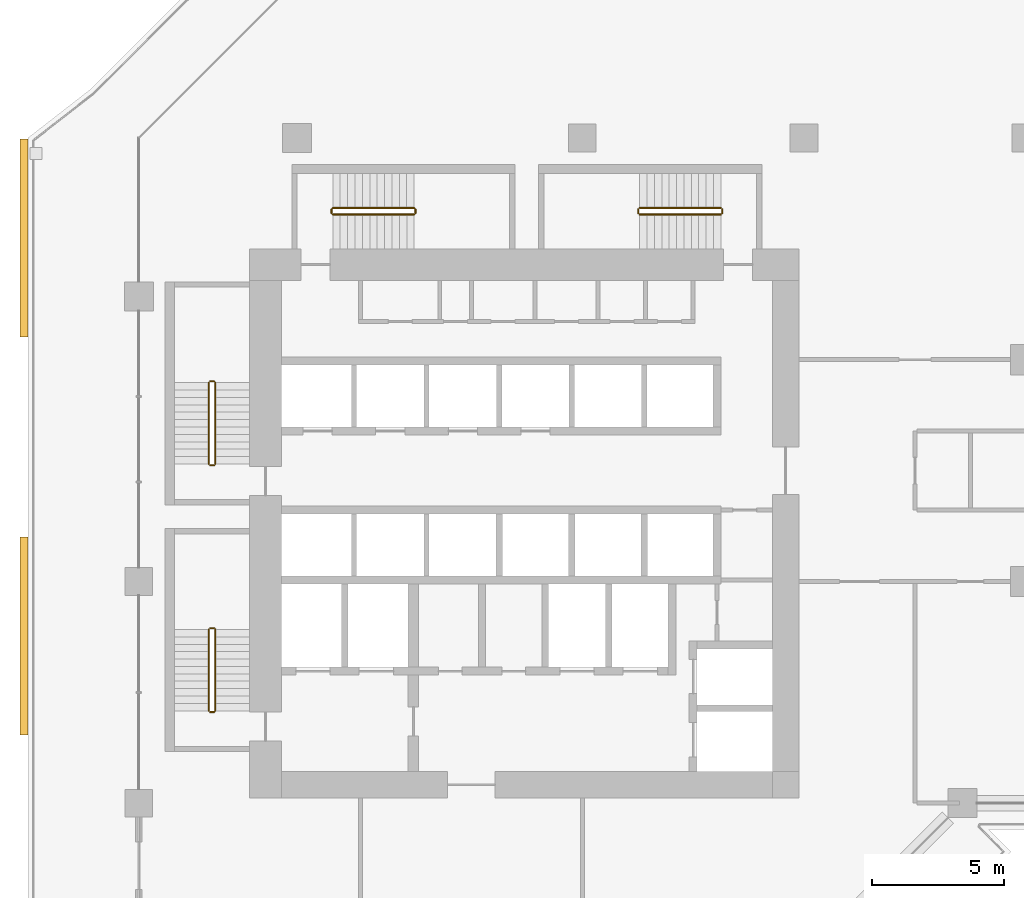
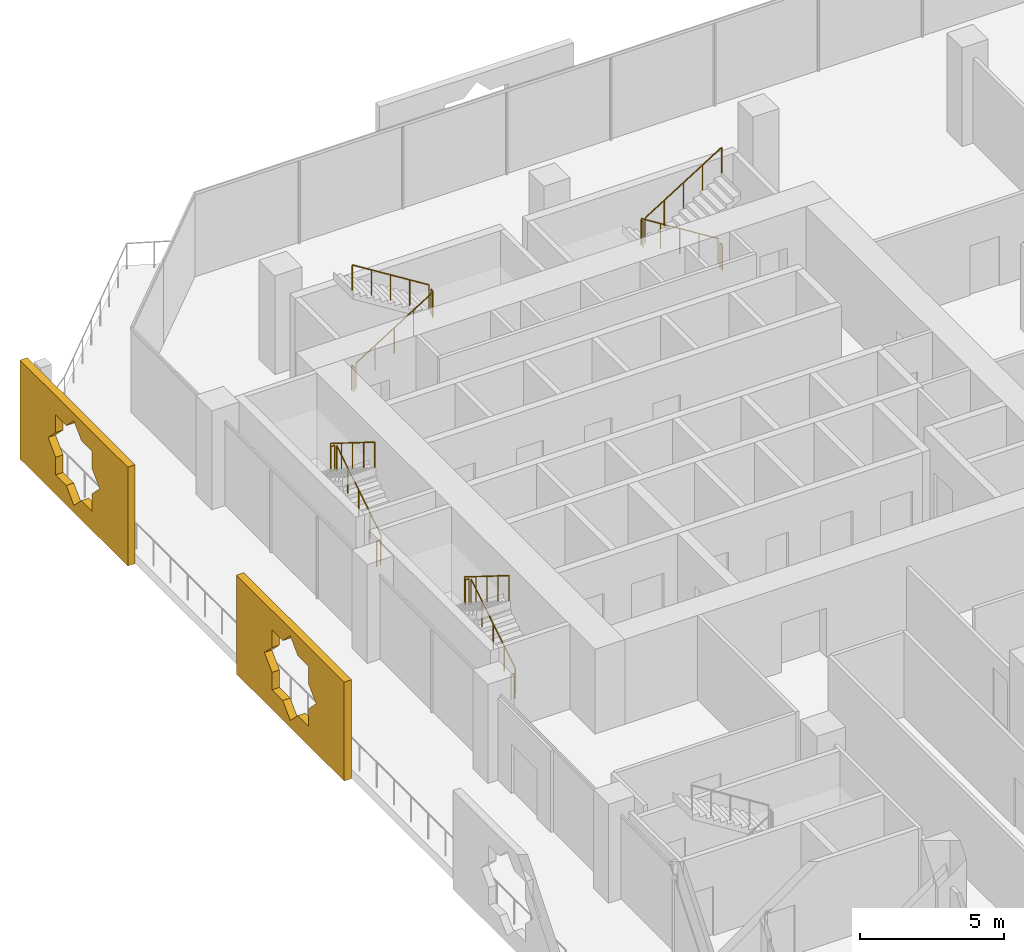
# One storey, part 22 of 25: 16 railings, 2 coverings.
"""IFC4 building model written with IfcOpenShell, lengths in metres."""

import ifcopenshell
import ifcopenshell.guid

model = None  # the IFC model being written
_history = None  # IfcOwnerHistory: only IFC2X3 demands one
_inside = {}  # id of a spatial element -> (the spatial element, [elements in it])
_under = {}  # id of a project, library or spatial element -> (it, [spatial elements below it])
_declared = {}  # id of a project -> (the project, [libraries it declares])
_typed = {}  # id of a type object -> (the type object, [elements of that type])
_made_of = {}  # id of a material, layer set ... -> (it, [elements and type objects made of it])


def new_model(schema):
    """Start an empty IFC model of exactly this schema.

    Asked for "IFC4X3", IfcOpenShell would pick the latest addendum, in which some entities
    have other attributes; the version numbers below select the first issue.
    IFC2X3 requires an IfcOwnerHistory on every rooted entity: one is made here for all.
    """
    global model, _history
    if schema == "IFC4X3":
        model = ifcopenshell.file(schema_version=(4, 3, 0, 0))
    else:
        model = ifcopenshell.file(schema=schema)
    _inside.clear()
    _under.clear()
    _declared.clear()
    _typed.clear()
    _made_of.clear()
    _history = None
    if model.schema == "IFC2X3":
        org = make("IfcOrganization", Name="unknown")
        user = make(
            "IfcPersonAndOrganization",
            ThePerson=make("IfcPerson", FamilyName="unknown"),
            TheOrganization=org,
        )
        app = make(
            "IfcApplication",
            ApplicationDeveloper=org,
            Version="unknown",
            ApplicationFullName="unknown",
            ApplicationIdentifier="unknown",
        )
        _history = make(
            "IfcOwnerHistory",
            OwningUser=user,
            OwningApplication=app,
            ChangeAction="ADDED",
            CreationDate=0,
        )
    return model


def make(cls, **values):
    """One entity of the class cls with the attributes given. An attribute that is None is left unset."""
    return model.create_entity(
        cls, **{name: value for name, value in values.items() if value is not None}
    )


def rooted(cls, **values):
    """An entity with a GlobalId (a new one), such as an element, a storey or a relation."""
    return make(cls, GlobalId=ifcopenshell.guid.new(), OwnerHistory=_history, **values)


def si_unit(unit_type, name, prefix=None):
    """IfcSIUnit, for example si_unit("LENGTHUNIT", "METRE", prefix="MILLI")."""
    return make("IfcSIUnit", UnitType=unit_type, Prefix=prefix, Name=name)


def assignment(units):
    """IfcUnitAssignment: the units of a project."""
    return None if units is None else make("IfcUnitAssignment", Units=units)


def point(xyz):
    """IfcCartesianPoint."""
    return None if xyz is None else make("IfcCartesianPoint", Coordinates=xyz)


def direction(xyz):
    """IfcDirection."""
    return None if xyz is None else make("IfcDirection", DirectionRatios=xyz)


def frame(location, z_axis=None, x_axis=None):
    """IfcAxis2Placement3D, a coordinate frame: its origin and axes. An axis left out is left unset."""
    return make(
        "IfcAxis2Placement3D",
        Location=point(location),
        Axis=direction(z_axis),
        RefDirection=direction(x_axis),
    )


def frame_2d(location, x_axis=None):
    """IfcAxis2Placement2D, a coordinate frame in the plane: its origin and x axis."""
    return make(
        "IfcAxis2Placement2D", Location=point(location), RefDirection=direction(x_axis)
    )


def origin():
    """The frame at (0, 0, 0) with its axes left unset."""
    return frame((0.0, 0.0, 0.0))


def origin_2d():
    """The frame at (0, 0) in the plane with its x axis left unset."""
    return frame_2d((0.0, 0.0))


def place(relative_to, where):
    """IfcLocalPlacement: puts the frame where relative to a parent placement (None: the world)."""
    return make(
        "IfcLocalPlacement", PlacementRelTo=relative_to, RelativePlacement=where
    )


def context(
    kind, dimensions, precision=None, world=None, true_north=None, identifier=None
):
    """IfcGeometricRepresentationContext, for example the 3D "Model" context."""
    return make(
        "IfcGeometricRepresentationContext",
        ContextIdentifier=identifier,
        ContextType=kind,
        CoordinateSpaceDimension=dimensions,
        Precision=precision,
        WorldCoordinateSystem=world,
        TrueNorth=true_north,
    )


def subcontext(parent, identifier, kind, view, scale=None):
    """IfcGeometricRepresentationSubContext, for example "Body" below "Model"."""
    return make(
        "IfcGeometricRepresentationSubContext",
        ContextIdentifier=identifier,
        ContextType=kind,
        ParentContext=parent,
        TargetScale=scale,
        TargetView=view,
    )


def project(units=None, contexts=None):
    """IfcProject with its units and contexts."""
    return rooted(
        "IfcProject",
        Name="project",
        RepresentationContexts=contexts,
        UnitsInContext=assignment(units),
    )


def spatial(cls, under=None, at=None, **own):
    """A site, building, storey or space (cls), placed at a placement, below another one or the project."""
    s = rooted(cls, ObjectPlacement=at, **own)
    if under is not None:
        _under.setdefault(under.id(), (under, []))[1].append(s)
    return s


def polyline(points):
    """IfcPolyline through the points."""
    return make("IfcPolyline", Points=[point(p) for p in points])


def profile(cls, at=None, kind="AREA", **sizes):
    """A parametric profile (cls). Its sizes go by their IFC names, for example OverallWidth=200.0."""
    return make(cls, ProfileType=kind, Position=at, **sizes)


def circle(**sizes):
    """IfcCircleProfileDef."""
    return profile("IfcCircleProfileDef", **sizes)


def outline(outer, holes=None, kind="AREA"):
    """IfcArbitraryClosedProfileDef: a profile drawn as a closed curve; with holes, ...WithVoids."""
    if holes is None:
        return make("IfcArbitraryClosedProfileDef", ProfileType=kind, OuterCurve=outer)
    return make(
        "IfcArbitraryProfileDefWithVoids",
        ProfileType=kind,
        OuterCurve=outer,
        InnerCurves=holes,
    )


def extrude(swept, where, along, depth):
    """IfcExtrudedAreaSolid: the profile swept, set in the frame where, extruded along a direction by depth."""
    return make(
        "IfcExtrudedAreaSolid",
        SweptArea=swept,
        Position=where,
        ExtrudedDirection=direction(along),
        Depth=depth,
    )


def shape(context_of_items, identifier, shape_type, items):
    """IfcShapeRepresentation: the items that make up one representation, for example the "Body"."""
    return make(
        "IfcShapeRepresentation",
        ContextOfItems=context_of_items,
        RepresentationIdentifier=identifier,
        RepresentationType=shape_type,
        Items=items,
    )


def material(Name=None, Category=None):
    """IfcMaterial."""
    return make("IfcMaterial", Name=Name, Category=Category)


def material_profile(
    of_material, cross_section, Name=None, Category=None, Priority=None
):
    """IfcMaterialProfile: a cross section and its material."""
    return make(
        "IfcMaterialProfile",
        Name=Name,
        Material=of_material,
        Profile=cross_section,
        Priority=Priority,
        Category=Category,
    )


def profile_set(profiles, Name=None, composite=None):
    """IfcMaterialProfileSet."""
    return make(
        "IfcMaterialProfileSet",
        Name=Name,
        MaterialProfiles=profiles,
        CompositeProfile=composite,
    )


def made_of(thing, what):
    """Note that an element or type object is made of a material, layer set ...; save() writes the relation."""
    if what is not None:
        _made_of.setdefault(what.id(), (what, []))[1].append(thing)
    return thing


def type_object(cls, material=None, **own):
    """A type object (cls), such as IfcWallType, which elements share."""
    return made_of(rooted(cls, **own), material)


def element(
    cls,
    number,
    at=None,
    inside=None,
    cuts=None,
    type_object=None,
    material=None,
    context=None,
    identifier="Body",
    shape_type=None,
    held_by="IfcProductDefinitionShape",
    body=None,
    shapes=None,
    **own,
):
    """One element of the class cls, such as IfcWall. Its Tag is "e" and its number.

    at: its placement. inside: the storey or other place that contains it. cuts: it is an
    opening in that element (IfcRelVoidsElement). A single representation is given by context,
    identifier, shape_type and body (its items); several are given by shapes. held_by: the class
    of the entity that holds the representations. save() writes the other relations.
    """
    e = rooted(cls, Tag="e%d" % number, ObjectPlacement=at, **own)
    if body is not None:
        shapes = [shape(context, identifier, shape_type, body)]
    if shapes is not None:
        e.Representation = make(held_by, Representations=shapes)
    if inside is not None:
        _inside.setdefault(inside.id(), (inside, []))[1].append(e)
    if cuts is not None:
        rooted(
            "IfcRelVoidsElement", RelatingBuildingElement=cuts, RelatedOpeningElement=e
        )
    if type_object is not None:
        _typed.setdefault(type_object.id(), (type_object, []))[1].append(e)
    return made_of(e, material)


def aggregate(whole, parts):
    """IfcRelAggregates: a whole, such as a stair, and the parts it consists of."""
    return rooted("IfcRelAggregates", RelatingObject=whole, RelatedObjects=parts)


def save(model, path):
    """Write the relations noted so far, then the file.

    IfcRelAggregates (storeys below a building ...), IfcRelContainedInSpatialStructure (elements
    in a storey), IfcRelDefinesByType, IfcRelAssociatesMaterial and IfcRelDeclares: one each for
    every whole, place, type object, material and project.
    """
    for whole, parts in _under.values():
        aggregate(whole, parts)
    for where, things in _inside.values():
        rooted(
            "IfcRelContainedInSpatialStructure",
            RelatedElements=things,
            RelatingStructure=where,
        )
    for kind, things in _typed.values():
        rooted("IfcRelDefinesByType", RelatedObjects=things, RelatingType=kind)
    for what, things in _made_of.values():
        rooted("IfcRelAssociatesMaterial", RelatedObjects=things, RelatingMaterial=what)
    for by, libraries in _declared.values():
        rooted("IfcRelDeclares", RelatingContext=by, RelatedDefinitions=libraries)
    model.write(path)


model = new_model("IFC4")

# Units and contexts
model_context = context("Model", 3, precision=1e-05, world=origin(), true_north=direction((0.0, 1.0)))
body_context = subcontext(model_context, "Body", "Model", "MODEL_VIEW")
ifc_project = project(units=[si_unit("LENGTHUNIT", "METRE"), si_unit("AREAUNIT", "SQUARE_METRE"), si_unit("VOLUMEUNIT", "CUBIC_METRE"), si_unit("PLANEANGLEUNIT", "RADIAN"), si_unit("MASSUNIT", "GRAM", prefix="KILO")], contexts=[model_context])

# Site, building, storey
site_placement = place(None, origin())
site = spatial("IfcSite", under=ifc_project, at=site_placement, CompositionType="ELEMENT")
building_placement = place(site_placement, origin())
building = spatial("IfcBuilding", under=site, at=building_placement, Name="Kawkab Arch Medical Tower", CompositionType="ELEMENT")
storey_placement = place(building_placement, frame((0.0, 0.0, 111.39990234375)))
storey = spatial("IfcBuildingStorey", under=building, at=storey_placement, Name="L25", CompositionType="ELEMENT", Elevation=111.39990234375)

# Coverings
ifc_material_1 = material(Name="Bronze anodised aluminium mashrabiya panel, eight-point star pattern", Category="aluminium")
ifc_material_profile = material_profile(ifc_material_1, outline(polyline([(-3.75, -2.10009765625), (3.75, -2.10009765625), (3.75, 2.10009765625), (-3.75, 2.10009765625), (-3.75, -2.10009765625)]), holes=[polyline([(1.800048828125, 0.0), (1.272705078125, 0.527099609375), (1.272705078125, 1.272705078125), (0.527099609375, 1.272705078125), (0.0, 1.800048828125), (-0.527099609375, 1.272705078125), (-1.272705078125, 1.272705078125), (-1.272705078125, 0.527099609375), (-1.800048828125, 0.0), (-1.272705078125, -0.527099609375), (-1.272705078125, -1.272705078125), (-0.527099609375, -1.272705078125), (0.0, -1.800048828125), (0.527099609375, -1.272705078125), (1.272705078125, -1.272705078125), (1.272705078125, -0.527099609375), (1.800048828125, 0.0)])]), Name="Mashrabiya panel 7500x4200")
ifc_profile_set = profile_set([ifc_material_profile], Name="Bronze anodised aluminium mashrabiya panel, eight-point star pattern")
covering_type = type_object("IfcCoveringType", Name="Mashrabiya panel 7500 x 4200", PredefinedType="USERDEFINED", material=ifc_profile_set)
for number, where, z_axis, x_axis, name in (
    (1, (-4.199951171875, -18.8583984375, 1.7001953125), (-1.0, 0.0, 0.0), (0.0, -1.0, 0.0), "Mashrabiya panel L25.LOG-01-01.7"),
    (2, (-4.199951171875, -3.795654296875, 1.7001953125), (-1.0, 0.0, 0.0), (0.0, -1.0, 0.0), "Mashrabiya panel L25.LOG-01-01.8"),
):
    element("IfcCovering", number, at=place(storey_placement, frame(where, z_axis=z_axis, x_axis=x_axis)), inside=storey, type_object=covering_type, Name=name, ObjectType="SCREEN", PredefinedType="USERDEFINED", context=body_context, shape_type="SweptSolid", body=[
        extrude(outline(polyline([(-3.75, -2.10009765625), (3.75, -2.10009765625), (3.75, 2.10009765625), (-3.75, 2.10009765625), (-3.75, -2.10009765625)]), holes=[polyline([(1.800048828125, 0.0), (1.272705078125, 0.527099609375), (1.272705078125, 1.272705078125), (0.527099609375, 1.272705078125), (0.0, 1.800048828125), (-0.527099609375, 1.272705078125), (-1.272705078125, 1.272705078125), (-1.272705078125, 0.527099609375), (-1.800048828125, 0.0), (-1.272705078125, -0.527099609375), (-1.272705078125, -1.272705078125), (-0.527099609375, -1.272705078125), (0.0, -1.800048828125), (0.527099609375, -1.272705078125), (1.272705078125, -1.272705078125), (1.272705078125, -0.527099609375), (1.800048828125, 0.0)])]), origin(), (0.0, 0.0, 1.0), 0.300048828125),
    ])

# Railings
ifc_material_2 = material(Name="Stainless steel", Category="steel")
railing_type = type_object("IfcRailingType", Name="Stair guard 1100", PredefinedType="GUARDRAIL", material=ifc_material_2)
railing_1_placement = place(storey_placement, frame((2.89990234375, -12.35009765625, 0.175048828125)))
element("IfcRailing", 3, at=railing_1_placement, inside=storey, type_object=railing_type, Name="L25 ST1 stair guard 1", PredefinedType="GUARDRAIL", context=body_context, shape_type="SweptSolid", body=[
    extrude(circle(Radius=0.02392578125, at=origin_2d()), frame((0.0, 0.0, 1.076171875), z_axis=(0.0, 0.847998304005, 0.529998940003), x_axis=(-1.0, 0.0, 0.0)), (0.0, 0.0, 1.0), 3.632080078125),
    extrude(circle(Radius=0.02099609375, at=origin_2d()), origin(), (0.0, 0.0, 1.0), 1.052001953125),
    extrude(circle(Radius=0.02099609375, at=origin_2d()), frame((0.0, 0.77001953125, 0.481201171875)), (0.0, 0.0, 1.0), 1.052001953125),
    extrude(circle(Radius=0.02099609375, at=origin_2d()), frame((0.0, 1.5400390625, 0.96240234375)), (0.0, 0.0, 1.0), 1.052001953125),
    extrude(circle(Radius=0.02099609375, at=origin_2d()), frame((0.0, 2.31005859375, 1.44384765625)), (0.0, 0.0, 1.0), 1.052001953125),
    extrude(circle(Radius=0.02099609375, at=origin_2d()), frame((0.0, 3.080078125, 1.925048828125)), (0.0, 0.0, 1.0), 1.052001953125),
])
railing_2_placement = place(storey_placement, frame((2.85009765625, -9.219970703125, 2.10009765625)))
element("IfcRailing", 4, at=railing_2_placement, inside=storey, type_object=railing_type, Name="L25 ST1 stair guard 2", PredefinedType="GUARDRAIL", context=body_context, shape_type="SweptSolid", body=[
    extrude(circle(Radius=0.02392578125, at=origin_2d()), frame((0.0, 0.0, 1.076171875), z_axis=(-1.0, 0.0, 0.0), x_axis=(0.0, -1.0, 0.0)), (0.0, 0.0, 1.0), 0.150146484375),
    extrude(circle(Radius=0.02099609375, at=origin_2d()), origin(), (0.0, 0.0, 1.0), 1.052001953125),
    extrude(circle(Radius=0.02099609375, at=origin_2d()), frame((-0.150146484375, 0.0, 0.0)), (0.0, 0.0, 1.0), 1.052001953125),
])
railing_3_placement = place(storey_placement, frame((2.64990234375, -9.27001953125, 2.275146484375)))
element("IfcRailing", 5, at=railing_3_placement, inside=storey, type_object=railing_type, Name="L25 ST1 stair guard 3", PredefinedType="GUARDRAIL", context=body_context, shape_type="SweptSolid", body=[
    extrude(circle(Radius=0.02392578125, at=origin_2d()), frame((0.0, 0.0, 1.076171875), z_axis=(0.0, -0.847998304005, 0.529998940003), x_axis=(1.0, 0.0, 0.0)), (0.0, 0.0, 1.0), 3.632080078125),
    extrude(circle(Radius=0.02099609375, at=origin_2d()), origin(), (0.0, 0.0, 1.0), 1.052001953125),
    extrude(circle(Radius=0.02099609375, at=origin_2d()), frame((0.0, -0.77001953125, 0.481201171875)), (0.0, 0.0, 1.0), 1.052001953125),
    extrude(circle(Radius=0.02099609375, at=origin_2d()), frame((0.0, -1.5400390625, 0.96240234375)), (0.0, 0.0, 1.0), 1.052001953125),
    extrude(circle(Radius=0.02099609375, at=origin_2d()), frame((0.0, -2.31005859375, 1.44384765625)), (0.0, 0.0, 1.0), 1.052001953125),
    extrude(circle(Radius=0.02099609375, at=origin_2d()), frame((0.0, -3.080078125, 1.925048828125)), (0.0, 0.0, 1.0), 1.052001953125),
])
railing_4_placement = place(storey_placement, frame((2.85009765625, -12.39990234375, 0.0)))
element("IfcRailing", 6, at=railing_4_placement, inside=storey, type_object=railing_type, Name="L25 ST1 stair guard 4", PredefinedType="GUARDRAIL", context=body_context, shape_type="SweptSolid", body=[
    extrude(circle(Radius=0.02392578125, at=origin_2d()), frame((0.0, 0.0, 1.076171875), z_axis=(-1.0, 0.0, 0.0), x_axis=(0.0, -1.0, 0.0)), (0.0, 0.0, 1.0), 0.150146484375),
    extrude(circle(Radius=0.02099609375, at=origin_2d()), origin(), (0.0, 0.0, 1.0), 1.052001953125),
    extrude(circle(Radius=0.02099609375, at=origin_2d()), frame((-0.150146484375, 0.0, 0.0)), (0.0, 0.0, 1.0), 1.052001953125),
])
railing_5_placement = place(storey_placement, frame((2.89990234375, -21.699951171875, 0.175048828125)))
element("IfcRailing", 7, at=railing_5_placement, inside=storey, type_object=railing_type, Name="L25 ST2 stair guard 1", PredefinedType="GUARDRAIL", context=body_context, shape_type="SweptSolid", body=[
    extrude(circle(Radius=0.02392578125, at=origin_2d()), frame((0.0, 0.0, 1.076171875), z_axis=(0.0, 0.847979421464, 0.530029150871), x_axis=(-1.0, 0.0, 0.0)), (0.0, 0.0, 1.0), 3.632080078125),
    extrude(circle(Radius=0.02099609375, at=origin_2d()), origin(), (0.0, 0.0, 1.0), 1.052001953125),
    extrude(circle(Radius=0.02099609375, at=origin_2d()), frame((0.0, 0.77001953125, 0.481201171875)), (0.0, 0.0, 1.0), 1.052001953125),
    extrude(circle(Radius=0.02099609375, at=origin_2d()), frame((0.0, 1.5400390625, 0.96240234375)), (0.0, 0.0, 1.0), 1.052001953125),
    extrude(circle(Radius=0.02099609375, at=origin_2d()), frame((0.0, 2.309814453125, 1.44384765625)), (0.0, 0.0, 1.0), 1.052001953125),
    extrude(circle(Radius=0.02099609375, at=origin_2d()), frame((0.0, 3.079833984375, 1.925048828125)), (0.0, 0.0, 1.0), 1.052001953125),
])
railing_6_placement = place(storey_placement, frame((2.85009765625, -18.570068359375, 2.10009765625)))
element("IfcRailing", 8, at=railing_6_placement, inside=storey, type_object=railing_type, Name="L25 ST2 stair guard 2", PredefinedType="GUARDRAIL", context=body_context, shape_type="SweptSolid", body=[
    extrude(circle(Radius=0.02392578125, at=origin_2d()), frame((0.0, 0.0, 1.076171875), z_axis=(-1.0, 0.0, 0.0), x_axis=(0.0, -1.0, 0.0)), (0.0, 0.0, 1.0), 0.150146484375),
    extrude(circle(Radius=0.02099609375, at=origin_2d()), origin(), (0.0, 0.0, 1.0), 1.052001953125),
    extrude(circle(Radius=0.02099609375, at=origin_2d()), frame((-0.150146484375, 0.0, 0.0)), (0.0, 0.0, 1.0), 1.052001953125),
])
railing_7_placement = place(storey_placement, frame((2.64990234375, -18.6201171875, 2.275146484375)))
element("IfcRailing", 9, at=railing_7_placement, inside=storey, type_object=railing_type, Name="L25 ST2 stair guard 3", PredefinedType="GUARDRAIL", context=body_context, shape_type="SweptSolid", body=[
    extrude(circle(Radius=0.02392578125, at=origin_2d()), frame((0.0, 0.0, 1.076171875), z_axis=(0.0, -0.847979421464, 0.530029150871), x_axis=(1.0, 0.0, 0.0)), (0.0, 0.0, 1.0), 3.632080078125),
    extrude(circle(Radius=0.02099609375, at=origin_2d()), origin(), (0.0, 0.0, 1.0), 1.052001953125),
    extrude(circle(Radius=0.02099609375, at=origin_2d()), frame((0.0, -0.77001953125, 0.481201171875)), (0.0, 0.0, 1.0), 1.052001953125),
    extrude(circle(Radius=0.02099609375, at=origin_2d()), frame((0.0, -1.5400390625, 0.96240234375)), (0.0, 0.0, 1.0), 1.052001953125),
    extrude(circle(Radius=0.02099609375, at=origin_2d()), frame((0.0, -2.309814453125, 1.44384765625)), (0.0, 0.0, 1.0), 1.052001953125),
    extrude(circle(Radius=0.02099609375, at=origin_2d()), frame((0.0, -3.079833984375, 1.925048828125)), (0.0, 0.0, 1.0), 1.052001953125),
])
railing_8_placement = place(storey_placement, frame((2.85009765625, -21.75, 0.0)))
element("IfcRailing", 10, at=railing_8_placement, inside=storey, type_object=railing_type, Name="L25 ST2 stair guard 4", PredefinedType="GUARDRAIL", context=body_context, shape_type="SweptSolid", body=[
    extrude(circle(Radius=0.02392578125, at=origin_2d()), frame((0.0, 0.0, 1.076171875), z_axis=(-1.0, 0.0, 0.0), x_axis=(0.0, -1.0, 0.0)), (0.0, 0.0, 1.0), 0.150146484375),
    extrude(circle(Radius=0.02099609375, at=origin_2d()), origin(), (0.0, 0.0, 1.0), 1.052001953125),
    extrude(circle(Radius=0.02099609375, at=origin_2d()), frame((-0.150146484375, 0.0, 0.0)), (0.0, 0.0, 1.0), 1.052001953125),
])
railing_9_placement = place(storey_placement, frame((7.35009765625, -2.89990234375, 0.175048828125)))
element("IfcRailing", 11, at=railing_9_placement, inside=storey, type_object=railing_type, Name="L25 ST3 stair guard 1", PredefinedType="GUARDRAIL", context=body_context, shape_type="SweptSolid", body=[
    extrude(circle(Radius=0.02392578125, at=origin_2d()), frame((0.0, 0.0, 1.076171875), z_axis=(0.847979421464, 0.0, 0.530029150871), x_axis=(0.0, 1.0, 0.0)), (0.0, 0.0, 1.0), 3.632080078125),
    extrude(circle(Radius=0.02099609375, at=origin_2d()), origin(), (0.0, 0.0, 1.0), 1.052001953125),
    extrude(circle(Radius=0.02099609375, at=origin_2d()), frame((0.77001953125, 0.0, 0.481201171875)), (0.0, 0.0, 1.0), 1.052001953125),
    extrude(circle(Radius=0.02099609375, at=origin_2d()), frame((1.5400390625, 0.0, 0.96240234375)), (0.0, 0.0, 1.0), 1.052001953125),
    extrude(circle(Radius=0.02099609375, at=origin_2d()), frame((2.309814453125, 0.0, 1.44384765625)), (0.0, 0.0, 1.0), 1.052001953125),
    extrude(circle(Radius=0.02099609375, at=origin_2d()), frame((3.079833984375, 0.0, 1.925048828125)), (0.0, 0.0, 1.0), 1.052001953125),
])
railing_10_placement = place(storey_placement, frame((10.47998046875, -2.85009765625, 2.10009765625)))
element("IfcRailing", 12, at=railing_10_placement, inside=storey, type_object=railing_type, Name="L25 ST3 stair guard 2", PredefinedType="GUARDRAIL", context=body_context, shape_type="SweptSolid", body=[
    extrude(circle(Radius=0.02392578125, at=origin_2d()), frame((0.0, 0.0, 1.076171875), z_axis=(0.0, 1.0, 0.0), x_axis=(-1.0, 0.0, 0.0)), (0.0, 0.0, 1.0), 0.150146484375),
    extrude(circle(Radius=0.02099609375, at=origin_2d()), origin(), (0.0, 0.0, 1.0), 1.052001953125),
    extrude(circle(Radius=0.02099609375, at=origin_2d()), frame((0.0, 0.150146484375, 0.0)), (0.0, 0.0, 1.0), 1.052001953125),
])
railing_11_placement = place(storey_placement, frame((10.429931640625, -2.64990234375, 2.275146484375)))
element("IfcRailing", 13, at=railing_11_placement, inside=storey, type_object=railing_type, Name="L25 ST3 stair guard 3", PredefinedType="GUARDRAIL", context=body_context, shape_type="SweptSolid", body=[
    extrude(circle(Radius=0.02392578125, at=origin_2d()), frame((0.0, 0.0, 1.076171875), z_axis=(-0.847979421464, 0.0, 0.530029150871), x_axis=(0.0, -1.0, 0.0)), (0.0, 0.0, 1.0), 3.632080078125),
    extrude(circle(Radius=0.02099609375, at=origin_2d()), origin(), (0.0, 0.0, 1.0), 1.052001953125),
    extrude(circle(Radius=0.02099609375, at=origin_2d()), frame((-0.77001953125, 0.0, 0.481201171875)), (0.0, 0.0, 1.0), 1.052001953125),
    extrude(circle(Radius=0.02099609375, at=origin_2d()), frame((-1.5400390625, 0.0, 0.96240234375)), (0.0, 0.0, 1.0), 1.052001953125),
    extrude(circle(Radius=0.02099609375, at=origin_2d()), frame((-2.309814453125, 0.0, 1.44384765625)), (0.0, 0.0, 1.0), 1.052001953125),
    extrude(circle(Radius=0.02099609375, at=origin_2d()), frame((-3.079833984375, 0.0, 1.925048828125)), (0.0, 0.0, 1.0), 1.052001953125),
])
railing_12_placement = place(storey_placement, frame((7.300048828125, -2.85009765625, 0.0)))
element("IfcRailing", 14, at=railing_12_placement, inside=storey, type_object=railing_type, Name="L25 ST3 stair guard 4", PredefinedType="GUARDRAIL", context=body_context, shape_type="SweptSolid", body=[
    extrude(circle(Radius=0.02392578125, at=origin_2d()), frame((0.0, 0.0, 1.076171875), z_axis=(0.0, 1.0, 0.0), x_axis=(-1.0, 0.0, 0.0)), (0.0, 0.0, 1.0), 0.150146484375),
    extrude(circle(Radius=0.02099609375, at=origin_2d()), origin(), (0.0, 0.0, 1.0), 1.052001953125),
    extrude(circle(Radius=0.02099609375, at=origin_2d()), frame((0.0, 0.150146484375, 0.0)), (0.0, 0.0, 1.0), 1.052001953125),
])
railing_13_placement = place(storey_placement, frame((22.050048828125, -2.64990234375, 0.175048828125)))
element("IfcRailing", 15, at=railing_13_placement, inside=storey, type_object=railing_type, Name="L25 ST4 stair guard 1", PredefinedType="GUARDRAIL", context=body_context, shape_type="SweptSolid", body=[
    extrude(circle(Radius=0.02392578125, at=origin_2d()), frame((0.0, 0.0, 1.076171875), z_axis=(-0.847998304005, 0.0, 0.529998940003), x_axis=(0.0, -1.0, 0.0)), (0.0, 0.0, 1.0), 3.632080078125),
    extrude(circle(Radius=0.02099609375, at=origin_2d()), origin(), (0.0, 0.0, 1.0), 1.052001953125),
    extrude(circle(Radius=0.02099609375, at=origin_2d()), frame((-0.77001953125, 0.0, 0.481201171875)), (0.0, 0.0, 1.0), 1.052001953125),
    extrude(circle(Radius=0.02099609375, at=origin_2d()), frame((-1.5400390625, 0.0, 0.96240234375)), (0.0, 0.0, 1.0), 1.052001953125),
    extrude(circle(Radius=0.02099609375, at=origin_2d()), frame((-2.31005859375, 0.0, 1.44384765625)), (0.0, 0.0, 1.0), 1.052001953125),
    extrude(circle(Radius=0.02099609375, at=origin_2d()), frame((-3.080078125, 0.0, 1.925048828125)), (0.0, 0.0, 1.0), 1.052001953125),
])
railing_14_placement = place(storey_placement, frame((18.919921875, -2.699951171875, 2.10009765625)))
element("IfcRailing", 16, at=railing_14_placement, inside=storey, type_object=railing_type, Name="L25 ST4 stair guard 2", PredefinedType="GUARDRAIL", context=body_context, shape_type="SweptSolid", body=[
    extrude(circle(Radius=0.02392578125, at=origin_2d()), frame((0.0, 0.0, 1.076171875), z_axis=(0.0, -1.0, 0.0), x_axis=(1.0, 0.0, 0.0)), (0.0, 0.0, 1.0), 0.150146484375),
    extrude(circle(Radius=0.02099609375, at=origin_2d()), origin(), (0.0, 0.0, 1.0), 1.052001953125),
    extrude(circle(Radius=0.02099609375, at=origin_2d()), frame((0.0, -0.150146484375, 0.0)), (0.0, 0.0, 1.0), 1.052001953125),
])
railing_15_placement = place(storey_placement, frame((18.969970703125, -2.89990234375, 2.275146484375)))
element("IfcRailing", 17, at=railing_15_placement, inside=storey, type_object=railing_type, Name="L25 ST4 stair guard 3", PredefinedType="GUARDRAIL", context=body_context, shape_type="SweptSolid", body=[
    extrude(circle(Radius=0.02392578125, at=origin_2d()), frame((0.0, 0.0, 1.076171875), z_axis=(0.847998304005, 0.0, 0.529998940003), x_axis=(0.0, 1.0, 0.0)), (0.0, 0.0, 1.0), 3.632080078125),
    extrude(circle(Radius=0.02099609375, at=origin_2d()), origin(), (0.0, 0.0, 1.0), 1.052001953125),
    extrude(circle(Radius=0.02099609375, at=origin_2d()), frame((0.77001953125, 0.0, 0.481201171875)), (0.0, 0.0, 1.0), 1.052001953125),
    extrude(circle(Radius=0.02099609375, at=origin_2d()), frame((1.5400390625, 0.0, 0.96240234375)), (0.0, 0.0, 1.0), 1.052001953125),
    extrude(circle(Radius=0.02099609375, at=origin_2d()), frame((2.31005859375, 0.0, 1.44384765625)), (0.0, 0.0, 1.0), 1.052001953125),
    extrude(circle(Radius=0.02099609375, at=origin_2d()), frame((3.080078125, 0.0, 1.925048828125)), (0.0, 0.0, 1.0), 1.052001953125),
])
railing_16_placement = place(storey_placement, frame((22.10009765625, -2.699951171875, 0.0)))
element("IfcRailing", 18, at=railing_16_placement, inside=storey, type_object=railing_type, Name="L25 ST4 stair guard 4", PredefinedType="GUARDRAIL", context=body_context, shape_type="SweptSolid", body=[
    extrude(circle(Radius=0.02392578125, at=origin_2d()), frame((0.0, 0.0, 1.076171875), z_axis=(0.0, -1.0, 0.0), x_axis=(1.0, 0.0, 0.0)), (0.0, 0.0, 1.0), 0.150146484375),
    extrude(circle(Radius=0.02099609375, at=origin_2d()), origin(), (0.0, 0.0, 1.0), 1.052001953125),
    extrude(circle(Radius=0.02099609375, at=origin_2d()), frame((0.0, -0.150146484375, 0.0)), (0.0, 0.0, 1.0), 1.052001953125),
])

save(model, "model.ifc")
